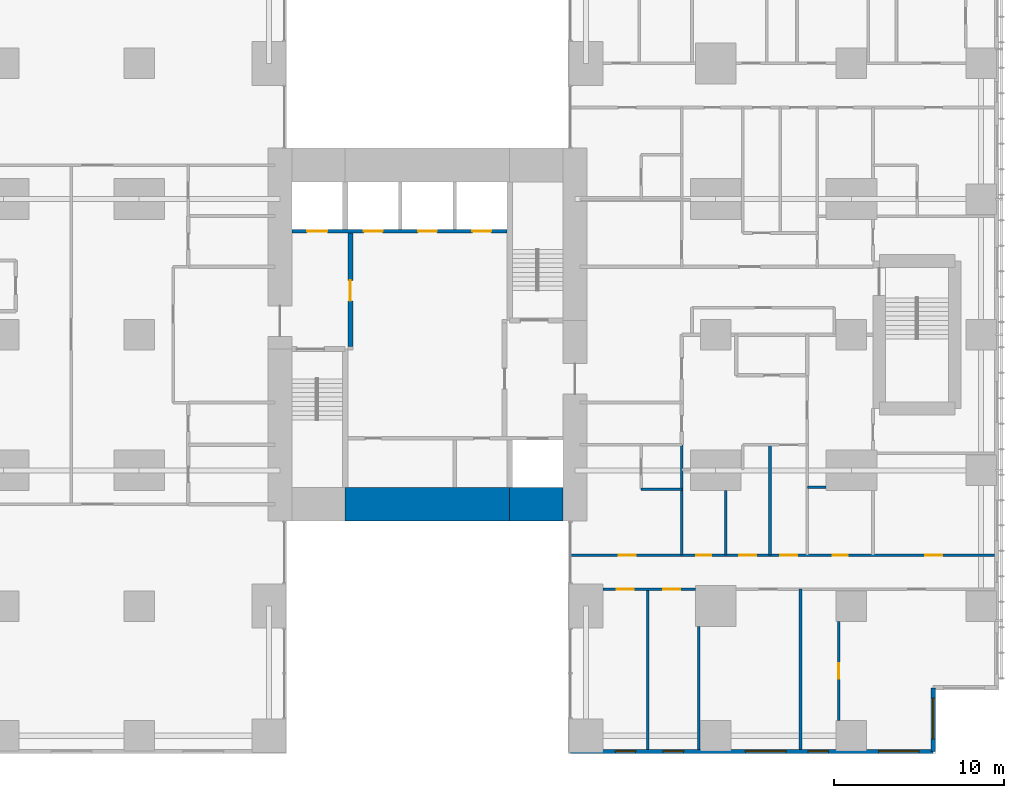
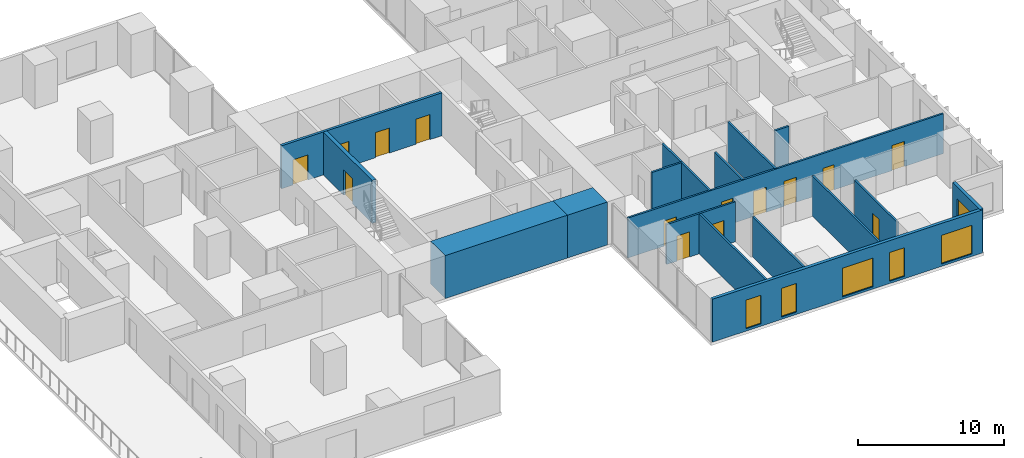
# One storey, part 11 of 16: 17 walls, 14 doors, 6 windows, 20 openings.
"""IFC4 building model written with IfcOpenShell, lengths in metres."""

from ifc_helpers import new_model, si_unit, direction, frame, frame_2d, origin, place, context, subcontext, project, spatial, rectangle, extrude, material, layer, layer_set, type_object, element, fill, save


model = new_model("IFC4")

# Units and contexts
model_context = context("Model", 3, precision=1e-05, world=origin(), true_north=direction((0.0, 1.0)))
body_context = subcontext(model_context, "Body", "Model", "MODEL_VIEW")
ifc_project = project(units=[si_unit("LENGTHUNIT", "METRE"), si_unit("AREAUNIT", "SQUARE_METRE"), si_unit("VOLUMEUNIT", "CUBIC_METRE"), si_unit("PLANEANGLEUNIT", "RADIAN"), si_unit("MASSUNIT", "GRAM", prefix="KILO")], contexts=[model_context])

# Site, building, storey
site_placement = place(None, origin())
site = spatial("IfcSite", under=ifc_project, at=site_placement, CompositionType="ELEMENT")
building_placement = place(site_placement, origin())
building = spatial("IfcBuilding", under=site, at=building_placement, Name="Cleftline Residences", CompositionType="ELEMENT")
storey_placement = place(building_placement, frame((0.0, 0.0, 218.199951171875)))
storey = spatial("IfcBuildingStorey", under=building, at=storey_placement, Name="L57", CompositionType="ELEMENT", Elevation=218.199951171875)

# Walls
ifc_material_1 = material(Name="Concrete B70", Category="concrete")
ifc_layer_1 = layer(ifc_material_1, 2.0)
ifc_layer_set_1 = layer_set([ifc_layer_1], Name="CORE WALL 2000")
wall_type_1 = type_object("IfcWallType", Name="CORE WALL 2000", PredefinedType="SHEAR", material=ifc_layer_set_1)
wall_1_placement = place(storey_placement, frame((28.14990234375, 14.0, 0.0), z_axis=(0.0, 0.0, 1.0), x_axis=(1.0, 0.0, 0.0)))
element("IfcWall", 1, at=wall_1_placement, inside=storey, type_object=wall_type_1, Name="Core wall S2", PredefinedType="SHEAR", context=body_context, shape_type="SweptSolid", body=[
    extrude(rectangle(XDim=9.7001953125, YDim=2.0, at=frame_2d((4.85009765625, 0.0))), origin(), (0.0, 0.0, 1.0), 3.60009765625),
])
wall_2_placement = place(storey_placement, frame((37.85009765625, 14.0, 0.0), z_axis=(0.0, 0.0, 1.0), x_axis=(1.0, 0.0, 0.0)))
element("IfcWall", 2, at=wall_2_placement, inside=storey, type_object=wall_type_1, Name="Core wall S3", PredefinedType="SHEAR", context=body_context, shape_type="SweptSolid", body=[
    extrude(rectangle(XDim=3.14990234375, YDim=2.0, at=frame_2d((1.574951171875, 0.0))), origin(), (0.0, 0.0, 1.0), 3.60009765625),
])

# Wall, openings, windows
ifc_material_2 = material(Name="Rendered reinforced concrete blockwork", Category="masonry")
ifc_layer_2 = layer(ifc_material_2, 0.25)
ifc_layer_set_2 = layer_set([ifc_layer_2], Name="EXTERNAL WALL 250")
wall_type_2 = type_object("IfcWallType", Name="EXTERNAL WALL 250", PredefinedType="SOLIDWALL", material=ifc_layer_set_2)
wall_3_placement = place(storey_placement, frame((41.425048828125, -0.574951171875, 0.0), z_axis=(0.0, 0.0, 1.0), x_axis=(1.0, 0.0, 0.0)))
wall_3 = element("IfcWall", 3, at=wall_3_placement, inside=storey, type_object=wall_type_2, Name="External wall", PredefinedType="SOLIDWALL", context=body_context, shape_type="SweptSolid", body=[
    extrude(rectangle(XDim=21.39990234375, YDim=0.25, at=frame_2d((10.699951171875, 0.0))), origin(), (0.0, 0.0, 1.0), 3.60009765625),
])
opening_1_placement = place(wall_3_placement, frame((2.64990234375, 0.0, 0.199951171875)))
opening_1 = element("IfcOpeningElement", 4, at=opening_1_placement, cuts=wall_3, Name="Opening W13", PredefinedType="OPENING", context=body_context, shape_type="SweptSolid", body=[
    extrude(rectangle(XDim=1.199951171875, YDim=2.39990234375, at=frame_2d((0.60009765625, 1.199951171875))), frame((0.0, 0.135009765625, 0.0), z_axis=(0.0, -1.0, 0.0), x_axis=(1.0, 0.0, 0.0)), (0.0, 0.0, 1.0), 0.27001953125),
])
opening_2_placement = place(wall_3_placement, frame((5.47509765625, 0.0, 0.199951171875)))
opening_2 = element("IfcOpeningElement", 5, at=opening_2_placement, cuts=wall_3, Name="Opening W13", PredefinedType="OPENING", context=body_context, shape_type="SweptSolid", body=[
    extrude(rectangle(XDim=1.199951171875, YDim=2.39990234375, at=frame_2d((0.60009765625, 1.199951171875))), frame((0.0, 0.135009765625, 0.0), z_axis=(0.0, -1.0, 0.0), x_axis=(1.0, 0.0, 0.0)), (0.0, 0.0, 1.0), 0.27001953125),
])
opening_3_placement = place(wall_3_placement, frame((10.324951171875, 0.0, 0.199951171875)))
opening_3 = element("IfcOpeningElement", 6, at=opening_3_placement, cuts=wall_3, Name="Opening W9", PredefinedType="OPENING", context=body_context, shape_type="SweptSolid", body=[
    extrude(rectangle(XDim=2.39990234375, YDim=2.39990234375, at=frame_2d((1.199951171875, 1.199951171875))), frame((0.0, 0.135009765625, 0.0), z_axis=(0.0, -1.0, 0.0), x_axis=(1.0, 0.0, 0.0)), (0.0, 0.0, 1.0), 0.27001953125),
])
opening_4_placement = place(wall_3_placement, frame((14.02490234375, 0.0, 0.199951171875)))
opening_4 = element("IfcOpeningElement", 7, at=opening_4_placement, cuts=wall_3, Name="Opening W13", PredefinedType="OPENING", context=body_context, shape_type="SweptSolid", body=[
    extrude(rectangle(XDim=1.199951171875, YDim=2.39990234375, at=frame_2d((0.60009765625, 1.199951171875))), frame((0.0, 0.135009765625, 0.0), z_axis=(0.0, -1.0, 0.0), x_axis=(1.0, 0.0, 0.0)), (0.0, 0.0, 1.0), 0.27001953125),
])
opening_5_placement = place(wall_3_placement, frame((18.175048828125, 0.0, 0.199951171875)))
opening_5 = element("IfcOpeningElement", 8, at=opening_5_placement, cuts=wall_3, Name="Opening W9", PredefinedType="OPENING", context=body_context, shape_type="SweptSolid", body=[
    extrude(rectangle(XDim=2.39990234375, YDim=2.39990234375, at=frame_2d((1.199951171875, 1.199951171875))), frame((0.0, 0.135009765625, 0.0), z_axis=(0.0, -1.0, 0.0), x_axis=(1.0, 0.0, 0.0)), (0.0, 0.0, 1.0), 0.27001953125),
])
ifc_material_3 = material(Name="Aluminium frame, clear double glazing", Category="aluminium")
window_type_1 = type_object("IfcWindowType", Name="WINDOW 1200X2400", PartitioningType="DOUBLE_PANEL_VERTICAL", PredefinedType="WINDOW", material=ifc_material_3)
window_1_placement = place(opening_1_placement, origin())
window_1 = element("IfcWindow", 9, at=window_1_placement, inside=storey, type_object=window_type_1, Name="Window", OverallHeight=2.39990234375, OverallWidth=1.199951171875, PartitioningType="SINGLE_PANEL", PredefinedType="WINDOW", context=body_context, shape_type="SweptSolid", body=[
    extrude(rectangle(XDim=1.199951171875, YDim=2.39990234375, at=frame_2d((0.60009765625, 1.199951171875))), frame((0.0, 0.030029296875, 0.0), z_axis=(0.0, -1.0, 0.0), x_axis=(1.0, 0.0, 0.0)), (0.0, 0.0, 1.0), 0.06005859375),
])
fill(opening_1, window_1)
window_2_placement = place(opening_2_placement, origin())
window_2 = element("IfcWindow", 10, at=window_2_placement, inside=storey, type_object=window_type_1, Name="Window", OverallHeight=2.39990234375, OverallWidth=1.199951171875, PartitioningType="SINGLE_PANEL", PredefinedType="WINDOW", context=body_context, shape_type="SweptSolid", body=[
    extrude(rectangle(XDim=1.199951171875, YDim=2.39990234375, at=frame_2d((0.60009765625, 1.199951171875))), frame((0.0, 0.030029296875, 0.0), z_axis=(0.0, -1.0, 0.0), x_axis=(1.0, 0.0, 0.0)), (0.0, 0.0, 1.0), 0.06005859375),
])
fill(opening_2, window_2)
window_3_placement = place(opening_4_placement, origin())
window_3 = element("IfcWindow", 11, at=window_3_placement, inside=storey, type_object=window_type_1, Name="Window", OverallHeight=2.39990234375, OverallWidth=1.199951171875, PartitioningType="SINGLE_PANEL", PredefinedType="WINDOW", context=body_context, shape_type="SweptSolid", body=[
    extrude(rectangle(XDim=1.199951171875, YDim=2.39990234375, at=frame_2d((0.60009765625, 1.199951171875))), frame((0.0, 0.030029296875, 0.0), z_axis=(0.0, -1.0, 0.0), x_axis=(1.0, 0.0, 0.0)), (0.0, 0.0, 1.0), 0.06005859375),
])
fill(opening_4, window_3)
ifc_material_4 = material(Name="Aluminium frame, clear double glazing", Category="aluminium")
window_type_2 = type_object("IfcWindowType", Name="WINDOW 2400X2400", PartitioningType="DOUBLE_PANEL_VERTICAL", PredefinedType="WINDOW", material=ifc_material_4)
window_4_placement = place(opening_3_placement, origin())
window_4 = element("IfcWindow", 12, at=window_4_placement, inside=storey, type_object=window_type_2, Name="Window", OverallHeight=2.39990234375, OverallWidth=2.39990234375, PartitioningType="SINGLE_PANEL", PredefinedType="WINDOW", context=body_context, shape_type="SweptSolid", body=[
    extrude(rectangle(XDim=2.39990234375, YDim=2.39990234375, at=frame_2d((1.199951171875, 1.199951171875))), frame((0.0, 0.030029296875, 0.0), z_axis=(0.0, -1.0, 0.0), x_axis=(1.0, 0.0, 0.0)), (0.0, 0.0, 1.0), 0.06005859375),
])
fill(opening_3, window_4)
window_5_placement = place(opening_5_placement, origin())
window_5 = element("IfcWindow", 13, at=window_5_placement, inside=storey, type_object=window_type_2, Name="Window", OverallHeight=2.39990234375, OverallWidth=2.39990234375, PartitioningType="SINGLE_PANEL", PredefinedType="WINDOW", context=body_context, shape_type="SweptSolid", body=[
    extrude(rectangle(XDim=2.39990234375, YDim=2.39990234375, at=frame_2d((1.199951171875, 1.199951171875))), frame((0.0, 0.030029296875, 0.0), z_axis=(0.0, -1.0, 0.0), x_axis=(1.0, 0.0, 0.0)), (0.0, 0.0, 1.0), 0.06005859375),
])
fill(opening_5, window_5)

# Wall, opening, window
wall_4_placement = place(storey_placement, frame((62.824951171875, -0.574951171875, 0.0), z_axis=(0.0, 0.0, 1.0), x_axis=(0.0, 1.0, 0.0)))
wall_4 = element("IfcWall", 14, at=wall_4_placement, inside=storey, type_object=wall_type_2, Name="External wall", PredefinedType="SOLIDWALL", context=body_context, shape_type="SweptSolid", body=[
    extrude(rectangle(XDim=3.75, YDim=0.25, at=frame_2d((1.875, 0.0))), origin(), (0.0, 0.0, 1.0), 3.60009765625),
])
opening_6_placement = place(wall_4_placement, frame((0.737548828125, 0.0, 0.199951171875)))
opening_6 = element("IfcOpeningElement", 15, at=opening_6_placement, cuts=wall_4, Name="Opening W9", PredefinedType="OPENING", context=body_context, shape_type="SweptSolid", body=[
    extrude(rectangle(XDim=2.39990234375, YDim=2.39990234375, at=frame_2d((1.199951171875, 1.199951171875))), frame((0.0, 0.135009765625, 0.0), z_axis=(0.0, -1.0, 0.0), x_axis=(1.0, 0.0, 0.0)), (0.0, 0.0, 1.0), 0.27001953125),
])
window_6_placement = place(opening_6_placement, origin())
window_6 = element("IfcWindow", 16, at=window_6_placement, inside=storey, type_object=window_type_2, Name="Window", OverallHeight=2.39990234375, OverallWidth=2.39990234375, PartitioningType="SINGLE_PANEL", PredefinedType="WINDOW", context=body_context, shape_type="SweptSolid", body=[
    extrude(rectangle(XDim=2.39990234375, YDim=2.39990234375, at=frame_2d((1.199951171875, 1.199951171875))), frame((0.0, 0.030029296875, 0.0), z_axis=(0.0, -1.0, 0.0), x_axis=(1.0, 0.0, 0.0)), (0.0, 0.0, 1.0), 0.06005859375),
])
fill(opening_6, window_6)

# Wall, openings, doors
ifc_material_5 = material(Name="Gypsum board on steel studs", Category="steel")
ifc_layer_3 = layer(ifc_material_5, 0.14990234375)
ifc_layer_set_3 = layer_set([ifc_layer_3], Name="PARTITION 150")
wall_type_3 = type_object("IfcWallType", Name="PARTITION 150", PredefinedType="PARTITIONING", material=ifc_layer_set_3)
wall_5_placement = place(storey_placement, frame((43.35009765625, 9.0, 0.0), z_axis=(0.0, 0.0, 1.0), x_axis=(1.0, 0.0, 0.0)))
wall_5 = element("IfcWall", 17, at=wall_5_placement, inside=storey, type_object=wall_type_3, Name="Partition", PredefinedType="PARTITIONING", context=body_context, shape_type="SweptSolid", body=[
    extrude(rectangle(XDim=5.449951171875, YDim=0.14990234375, at=frame_2d((2.72509765625, 0.0))), origin(), (0.0, 0.0, 1.0), 3.35009765625),
])
opening_7_placement = place(wall_5_placement, frame((3.550048828125, 0.0, 0.0)))
opening_7 = element("IfcOpeningElement", 18, at=opening_7_placement, cuts=wall_5, Name="Opening D2", PredefinedType="OPENING", context=body_context, shape_type="SweptSolid", body=[
    extrude(rectangle(XDim=1.0, YDim=2.10009765625, at=frame_2d((0.5, 1.050048828125))), frame((0.0, 0.0849609375, 0.0), z_axis=(0.0, -1.0, 0.0), x_axis=(1.0, 0.0, 0.0)), (0.0, 0.0, 1.0), 0.169921875),
])
opening_8_placement = place(wall_5_placement, frame((0.824951171875, 0.0, 0.0)))
opening_8 = element("IfcOpeningElement", 19, at=opening_8_placement, cuts=wall_5, Name="Opening D2", PredefinedType="OPENING", context=body_context, shape_type="SweptSolid", body=[
    extrude(rectangle(XDim=1.0, YDim=2.10009765625, at=frame_2d((0.5, 1.050048828125))), frame((0.0, 0.0849609375, 0.0), z_axis=(0.0, -1.0, 0.0), x_axis=(1.0, 0.0, 0.0)), (0.0, 0.0, 1.0), 0.169921875),
])
ifc_material_6 = material(Name="Timber veneer on solid core", Category="wood")
door_type_1 = type_object("IfcDoorType", Name="DOOR 1000X2100", OperationType="SINGLE_SWING_LEFT", PredefinedType="DOOR", material=ifc_material_6)
door_1_placement = place(opening_7_placement, origin())
door_1 = element("IfcDoor", 20, at=door_1_placement, inside=storey, type_object=door_type_1, Name="Door to breakfast room", OperationType="SINGLE_SWING_LEFT", OverallHeight=2.10009765625, OverallWidth=1.0, PredefinedType="DOOR", context=body_context, shape_type="SweptSolid", body=[
    extrude(rectangle(XDim=1.0, YDim=2.10009765625, at=frame_2d((0.5, 1.050048828125))), frame((0.0, 0.02490234375, 0.0), z_axis=(0.0, -1.0, 0.0), x_axis=(1.0, 0.0, 0.0)), (0.0, 0.0, 1.0), 0.050048828125),
])
fill(opening_7, door_1)
door_2_placement = place(opening_8_placement, origin())
door_2 = element("IfcDoor", 21, at=door_2_placement, inside=storey, type_object=door_type_1, Name="Door to show kitchen", OperationType="SINGLE_SWING_RIGHT", OverallHeight=2.10009765625, OverallWidth=1.0, PredefinedType="DOOR", context=body_context, shape_type="SweptSolid", body=[
    extrude(rectangle(XDim=1.0, YDim=2.10009765625, at=frame_2d((0.5, 1.050048828125))), frame((0.0, 0.02490234375, 0.0), z_axis=(0.0, -1.0, 0.0), x_axis=(1.0, 0.0, 0.0)), (0.0, 0.0, 1.0), 0.050048828125),
])
fill(opening_8, door_2)

wall_6_placement = place(storey_placement, frame((41.43896484375, 11.0, 0.0), z_axis=(0.0, 0.0, 1.0), x_axis=(1.0, 0.0, 0.0)))
wall_6 = element("IfcWall", 22, at=wall_6_placement, inside=storey, type_object=wall_type_3, Name="Partition", PredefinedType="PARTITIONING", context=body_context, shape_type="SweptSolid", body=[
    extrude(rectangle(XDim=25.010986328125, YDim=0.14990234375, at=frame_2d((12.50537109375, 0.0))), origin(), (0.0, 0.0, 1.0), 3.35009765625),
])
opening_9_placement = place(wall_6_placement, frame((12.361083984375, 0.0, 0.0)))
opening_9 = element("IfcOpeningElement", 23, at=opening_9_placement, cuts=wall_6, Name="Opening D2F30", PredefinedType="OPENING", context=body_context, shape_type="SweptSolid", body=[
    extrude(rectangle(XDim=1.0, YDim=2.10009765625, at=frame_2d((0.5, 1.050048828125))), frame((0.0, 0.0849609375, 0.0), z_axis=(0.0, -1.0, 0.0), x_axis=(1.0, 0.0, 0.0)), (0.0, 0.0, 1.0), 0.169921875),
])
opening_10_placement = place(wall_6_placement, frame((20.923583984375, 0.0, 0.0)))
opening_10 = element("IfcOpeningElement", 24, at=opening_10_placement, cuts=wall_6, Name="Opening D2F30", PredefinedType="OPENING", context=body_context, shape_type="SweptSolid", body=[
    extrude(rectangle(XDim=1.0, YDim=2.10009765625, at=frame_2d((0.5, 1.050048828125))), frame((0.0, 0.0849609375, 0.0), z_axis=(0.0, -1.0, 0.0), x_axis=(1.0, 0.0, 0.0)), (0.0, 0.0, 1.0), 0.169921875),
])
opening_11_placement = place(wall_6_placement, frame((15.448486328125, 0.0, 0.0)))
opening_11 = element("IfcOpeningElement", 25, at=opening_11_placement, cuts=wall_6, Name="Opening D1F30", PredefinedType="OPENING", context=body_context, shape_type="SweptSolid", body=[
    extrude(rectangle(XDim=0.89990234375, YDim=2.10009765625, at=frame_2d((0.449951171875, 1.050048828125))), frame((0.0, 0.0849609375, 0.0), z_axis=(0.0, -1.0, 0.0), x_axis=(1.0, 0.0, 0.0)), (0.0, 0.0, 1.0), 0.169921875),
])
opening_12_placement = place(wall_6_placement, frame((9.9609375, 0.0, 0.0)))
opening_12 = element("IfcOpeningElement", 26, at=opening_12_placement, cuts=wall_6, Name="Opening D2F30", PredefinedType="OPENING", context=body_context, shape_type="SweptSolid", body=[
    extrude(rectangle(XDim=1.0, YDim=2.10009765625, at=frame_2d((0.5, 1.050048828125))), frame((0.0, 0.0849609375, 0.0), z_axis=(0.0, -1.0, 0.0), x_axis=(1.0, 0.0, 0.0)), (0.0, 0.0, 1.0), 0.169921875),
])
opening_13_placement = place(wall_6_placement, frame((7.410888671875, 0.0, 0.0)))
opening_13 = element("IfcOpeningElement", 27, at=opening_13_placement, cuts=wall_6, Name="Opening D1F30", PredefinedType="OPENING", context=body_context, shape_type="SweptSolid", body=[
    extrude(rectangle(XDim=0.89990234375, YDim=2.10009765625, at=frame_2d((0.449951171875, 1.050048828125))), frame((0.0, 0.0849609375, 0.0), z_axis=(0.0, -1.0, 0.0), x_axis=(1.0, 0.0, 0.0)), (0.0, 0.0, 1.0), 0.169921875),
])
opening_14_placement = place(wall_6_placement, frame((2.8359375, 0.0, 0.0)))
opening_14 = element("IfcOpeningElement", 28, at=opening_14_placement, cuts=wall_6, Name="Opening D2F30", PredefinedType="OPENING", context=body_context, shape_type="SweptSolid", body=[
    extrude(rectangle(XDim=1.0, YDim=2.10009765625, at=frame_2d((0.5, 1.050048828125))), frame((0.0, 0.0849609375, 0.0), z_axis=(0.0, -1.0, 0.0), x_axis=(1.0, 0.0, 0.0)), (0.0, 0.0, 1.0), 0.169921875),
])
ifc_material_7 = material(Name="Timber veneer on solid core", Category="wood")
door_type_2 = type_object("IfcDoorType", Name="DOOR 1000X2100 EI 30", OperationType="SINGLE_SWING_LEFT", PredefinedType="DOOR", material=ifc_material_7)
door_3_placement = place(opening_9_placement, origin())
door_3 = element("IfcDoor", 29, at=door_3_placement, inside=storey, type_object=door_type_2, Name="Door to residence hall (gallery)", OperationType="SINGLE_SWING_LEFT", OverallHeight=2.10009765625, OverallWidth=1.0, PredefinedType="DOOR", context=body_context, shape_type="SweptSolid", body=[
    extrude(rectangle(XDim=1.0, YDim=2.10009765625, at=frame_2d((0.5, 1.050048828125))), frame((0.0, 0.02490234375, 0.0), z_axis=(0.0, -1.0, 0.0), x_axis=(1.0, 0.0, 0.0)), (0.0, 0.0, 1.0), 0.050048828125),
])
fill(opening_9, door_3)
door_4_placement = place(opening_10_placement, origin())
door_4 = element("IfcDoor", 30, at=door_4_placement, inside=storey, type_object=door_type_2, Name="Door to altar room", OperationType="SINGLE_SWING_LEFT", OverallHeight=2.10009765625, OverallWidth=1.0, PredefinedType="DOOR", context=body_context, shape_type="SweptSolid", body=[
    extrude(rectangle(XDim=1.0, YDim=2.10009765625, at=frame_2d((0.5, 1.050048828125))), frame((0.0, 0.02490234375, 0.0), z_axis=(0.0, -1.0, 0.0), x_axis=(1.0, 0.0, 0.0)), (0.0, 0.0, 1.0), 0.050048828125),
])
fill(opening_10, door_4)
door_5_placement = place(opening_12_placement, origin())
door_5 = element("IfcDoor", 31, at=door_5_placement, inside=storey, type_object=door_type_2, Name="Door to wet kitchen", OperationType="SINGLE_SWING_RIGHT", OverallHeight=2.10009765625, OverallWidth=1.0, PredefinedType="DOOR", context=body_context, shape_type="SweptSolid", body=[
    extrude(rectangle(XDim=1.0, YDim=2.10009765625, at=frame_2d((0.5, 1.050048828125))), frame((0.0, 0.02490234375, 0.0), z_axis=(0.0, -1.0, 0.0), x_axis=(1.0, 0.0, 0.0)), (0.0, 0.0, 1.0), 0.050048828125),
])
fill(opening_12, door_5)
door_6_placement = place(opening_14_placement, origin())
door_6 = element("IfcDoor", 32, at=door_6_placement, inside=storey, type_object=door_type_2, Name="Door to staff bedroom", OperationType="SINGLE_SWING_RIGHT", OverallHeight=2.10009765625, OverallWidth=1.0, PredefinedType="DOOR", context=body_context, shape_type="SweptSolid", body=[
    extrude(rectangle(XDim=1.0, YDim=2.10009765625, at=frame_2d((0.5, 1.050048828125))), frame((0.0, 0.02490234375, 0.0), z_axis=(0.0, -1.0, 0.0), x_axis=(1.0, 0.0, 0.0)), (0.0, 0.0, 1.0), 0.050048828125),
])
fill(opening_14, door_6)
ifc_material_8 = material(Name="Timber veneer on solid core", Category="wood")
door_type_3 = type_object("IfcDoorType", Name="DOOR 900X2100 EI 30", OperationType="SINGLE_SWING_LEFT", PredefinedType="DOOR", material=ifc_material_8)
door_7_placement = place(opening_11_placement, origin())
door_7 = element("IfcDoor", 33, at=door_7_placement, inside=storey, type_object=door_type_3, Name="Door to store room", OperationType="SINGLE_SWING_LEFT", OverallHeight=2.10009765625, OverallWidth=0.89990234375, PredefinedType="DOOR", context=body_context, shape_type="SweptSolid", body=[
    extrude(rectangle(XDim=0.89990234375, YDim=2.10009765625, at=frame_2d((0.449951171875, 1.050048828125))), frame((0.0, 0.02490234375, 0.0), z_axis=(0.0, -1.0, 0.0), x_axis=(1.0, 0.0, 0.0)), (0.0, 0.0, 1.0), 0.050048828125),
])
fill(opening_11, door_7)
door_8_placement = place(opening_13_placement, origin())
door_8 = element("IfcDoor", 34, at=door_8_placement, inside=storey, type_object=door_type_3, Name="Door to pantry", OperationType="SINGLE_SWING_RIGHT", OverallHeight=2.10009765625, OverallWidth=0.89990234375, PredefinedType="DOOR", context=body_context, shape_type="SweptSolid", body=[
    extrude(rectangle(XDim=0.89990234375, YDim=2.10009765625, at=frame_2d((0.449951171875, 1.050048828125))), frame((0.0, 0.02490234375, 0.0), z_axis=(0.0, -1.0, 0.0), x_axis=(1.0, 0.0, 0.0)), (0.0, 0.0, 1.0), 0.050048828125),
])
fill(opening_13, door_8)

# Walls
wall_7_placement = place(storey_placement, frame((45.60009765625, 14.89990234375, 0.0), z_axis=(0.0, 0.0, 1.0), x_axis=(1.0, 0.0, 0.0)))
element("IfcWall", 35, at=wall_7_placement, inside=storey, type_object=wall_type_3, Name="Partition", PredefinedType="PARTITIONING", context=body_context, shape_type="SweptSolid", body=[
    extrude(rectangle(XDim=2.39990234375, YDim=0.14990234375, at=frame_2d((1.199951171875, 0.0))), origin(), (0.0, 0.0, 1.0), 3.35009765625),
])
wall_8_placement = place(storey_placement, frame((55.39990234375, 15.0, 0.0), z_axis=(0.0, 0.0, 1.0), x_axis=(1.0, 0.0, 0.0)))
element("IfcWall", 36, at=wall_8_placement, inside=storey, type_object=wall_type_3, Name="Partition", PredefinedType="PARTITIONING", context=body_context, shape_type="SweptSolid", body=[
    extrude(rectangle(XDim=1.10009765625, YDim=0.14990234375, at=frame_2d((0.550048828125, 0.0))), origin(), (0.0, 0.0, 1.0), 3.35009765625),
])
wall_9_placement = place(storey_placement, frame((46.0, -0.449951171875, 0.0), z_axis=(0.0, 0.0, 1.0), x_axis=(0.0, 1.0, 0.0)))
element("IfcWall", 37, at=wall_9_placement, inside=storey, type_object=wall_type_3, Name="Partition", PredefinedType="PARTITIONING", context=body_context, shape_type="SweptSolid", body=[
    extrude(rectangle(XDim=9.449951171875, YDim=0.14990234375, at=frame_2d((4.72509765625, 0.0))), origin(), (0.0, 0.0, 1.0), 3.35009765625),
])
wall_10_placement = place(storey_placement, frame((48.0, 11.0, 0.0), z_axis=(0.0, 0.0, 1.0), x_axis=(0.0, 1.0, 0.0)))
element("IfcWall", 38, at=wall_10_placement, inside=storey, type_object=wall_type_3, Name="Partition", PredefinedType="PARTITIONING", context=body_context, shape_type="SweptSolid", body=[
    extrude(rectangle(XDim=6.5, YDim=0.14990234375, at=frame_2d((3.25, 0.0))), origin(), (0.0, 0.0, 1.0), 3.35009765625),
])
wall_11_placement = place(storey_placement, frame((49.0, -0.449951171875, 0.0), z_axis=(0.0, 0.0, 1.0), x_axis=(0.0, 1.0, 0.0)))
element("IfcWall", 39, at=wall_11_placement, inside=storey, type_object=wall_type_3, Name="Partition", PredefinedType="PARTITIONING", context=body_context, shape_type="SweptSolid", body=[
    extrude(rectangle(XDim=7.25, YDim=0.14990234375, at=frame_2d((3.625, 0.0))), origin(), (0.0, 0.0, 1.0), 3.35009765625),
])
wall_12_placement = place(storey_placement, frame((50.60009765625, 11.0, 0.0), z_axis=(0.0, 0.0, 1.0), x_axis=(0.0, 1.0, 0.0)))
element("IfcWall", 40, at=wall_12_placement, inside=storey, type_object=wall_type_3, Name="Partition", PredefinedType="PARTITIONING", context=body_context, shape_type="SweptSolid", body=[
    extrude(rectangle(XDim=3.800048828125, YDim=0.14990234375, at=frame_2d((1.89990234375, 0.0))), origin(), (0.0, 0.0, 1.0), 3.35009765625),
])
wall_13_placement = place(storey_placement, frame((53.199951171875, 11.0, 0.0), z_axis=(0.0, 0.0, 1.0), x_axis=(0.0, 1.0, 0.0)))
element("IfcWall", 41, at=wall_13_placement, inside=storey, type_object=wall_type_3, Name="Partition", PredefinedType="PARTITIONING", context=body_context, shape_type="SweptSolid", body=[
    extrude(rectangle(XDim=6.5, YDim=0.14990234375, at=frame_2d((3.25, 0.0))), origin(), (0.0, 0.0, 1.0), 3.35009765625),
])
wall_14_placement = place(storey_placement, frame((55.0, -0.449951171875, 0.0), z_axis=(0.0, 0.0, 1.0), x_axis=(0.0, 1.0, 0.0)))
element("IfcWall", 42, at=wall_14_placement, inside=storey, type_object=wall_type_3, Name="Partition", PredefinedType="PARTITIONING", context=body_context, shape_type="SweptSolid", body=[
    extrude(rectangle(XDim=9.449951171875, YDim=0.14990234375, at=frame_2d((4.72509765625, 0.0))), origin(), (0.0, 0.0, 1.0), 3.35009765625),
])

# Wall, opening, door
wall_15_placement = place(storey_placement, frame((57.25, 1.25, 0.0), z_axis=(0.0, 0.0, 1.0), x_axis=(0.0, 1.0, 0.0)))
wall_15 = element("IfcWall", 43, at=wall_15_placement, inside=storey, type_object=wall_type_3, Name="Partition", PredefinedType="PARTITIONING", context=body_context, shape_type="SweptSolid", body=[
    extrude(rectangle(XDim=5.85009765625, YDim=0.14990234375, at=frame_2d((2.925048828125, 0.0))), origin(), (0.0, 0.0, 1.0), 3.35009765625),
])
opening_15_placement = place(wall_15_placement, frame((2.47509765625, 0.0, 0.0)))
opening_15 = element("IfcOpeningElement", 44, at=opening_15_placement, cuts=wall_15, Name="Opening D1", PredefinedType="OPENING", context=body_context, shape_type="SweptSolid", body=[
    extrude(rectangle(XDim=0.89990234375, YDim=2.10009765625, at=frame_2d((0.449951171875, 1.050048828125))), frame((0.0, 0.0849609375, 0.0), z_axis=(0.0, -1.0, 0.0), x_axis=(1.0, 0.0, 0.0)), (0.0, 0.0, 1.0), 0.169921875),
])
ifc_material_9 = material(Name="Timber veneer on solid core", Category="wood")
door_type_4 = type_object("IfcDoorType", Name="DOOR 900X2100", OperationType="SINGLE_SWING_LEFT", PredefinedType="DOOR", material=ifc_material_9)
door_9_placement = place(opening_15_placement, origin())
door_9 = element("IfcDoor", 45, at=door_9_placement, inside=storey, type_object=door_type_4, Name="Door to store room", OperationType="SINGLE_SWING_LEFT", OverallHeight=2.10009765625, OverallWidth=0.89990234375, PredefinedType="DOOR", context=body_context, shape_type="SweptSolid", body=[
    extrude(rectangle(XDim=0.89990234375, YDim=2.10009765625, at=frame_2d((0.449951171875, 1.050048828125))), frame((0.0, 0.02490234375, 0.0), z_axis=(0.0, -1.0, 0.0), x_axis=(1.0, 0.0, 0.0)), (0.0, 0.0, 1.0), 0.050048828125),
])
fill(opening_15, door_9)

# Wall, openings, doors
ifc_material_10 = material(Name="Concrete blockwork, fire rated", Category="masonry")
ifc_layer_4 = layer(ifc_material_10, 0.199951171875)
ifc_layer_set_4 = layer_set([ifc_layer_4], Name="SHAFT WALL 200")
wall_type_4 = type_object("IfcWallType", Name="SHAFT WALL 200", PredefinedType="PARTITIONING", material=ifc_layer_set_4)
wall_16_placement = place(storey_placement, frame((25.0, 30.10009765625, 0.0), z_axis=(0.0, 0.0, 1.0), x_axis=(1.0, 0.0, 0.0)))
wall_16 = element("IfcWall", 46, at=wall_16_placement, inside=storey, type_object=wall_type_4, Name="Lift shaft wall", PredefinedType="PARTITIONING", context=body_context, shape_type="SweptSolid", body=[
    extrude(rectangle(XDim=12.699951171875, YDim=0.199951171875, at=frame_2d((6.35009765625, 0.0))), origin(), (0.0, 0.0, 1.0), 3.60009765625),
])
opening_16_placement = place(wall_16_placement, frame((4.25, 0.0, 0.0)))
opening_16 = element("IfcOpeningElement", 47, at=opening_16_placement, cuts=wall_16, Name="Opening LD1", PredefinedType="OPENING", context=body_context, shape_type="SweptSolid", body=[
    extrude(rectangle(XDim=1.10009765625, YDim=2.10009765625, at=frame_2d((0.550048828125, 1.050048828125))), frame((0.0, 0.10986328125, 0.0), z_axis=(0.0, -1.0, 0.0), x_axis=(1.0, 0.0, 0.0)), (0.0, 0.0, 1.0), 0.219970703125),
])
opening_17_placement = place(wall_16_placement, frame((7.449951171875, 0.0, 0.0)))
opening_17 = element("IfcOpeningElement", 48, at=opening_17_placement, cuts=wall_16, Name="Opening LD1", PredefinedType="OPENING", context=body_context, shape_type="SweptSolid", body=[
    extrude(rectangle(XDim=1.10009765625, YDim=2.10009765625, at=frame_2d((0.550048828125, 1.050048828125))), frame((0.0, 0.10986328125, 0.0), z_axis=(0.0, -1.0, 0.0), x_axis=(1.0, 0.0, 0.0)), (0.0, 0.0, 1.0), 0.219970703125),
])
opening_18_placement = place(wall_16_placement, frame((10.64990234375, 0.0, 0.0)))
opening_18 = element("IfcOpeningElement", 49, at=opening_18_placement, cuts=wall_16, Name="Opening LD1", PredefinedType="OPENING", context=body_context, shape_type="SweptSolid", body=[
    extrude(rectangle(XDim=1.10009765625, YDim=2.10009765625, at=frame_2d((0.550048828125, 1.050048828125))), frame((0.0, 0.10986328125, 0.0), z_axis=(0.0, -1.0, 0.0), x_axis=(1.0, 0.0, 0.0)), (0.0, 0.0, 1.0), 0.219970703125),
])
opening_19_placement = place(wall_16_placement, frame((0.89990234375, 0.0, 0.0)))
opening_19 = element("IfcOpeningElement", 50, at=opening_19_placement, cuts=wall_16, Name="Opening LD2", PredefinedType="OPENING", context=body_context, shape_type="SweptSolid", body=[
    extrude(rectangle(XDim=1.199951171875, YDim=2.10009765625, at=frame_2d((0.60009765625, 1.050048828125))), frame((0.0, 0.10986328125, 0.0), z_axis=(0.0, -1.0, 0.0), x_axis=(1.0, 0.0, 0.0)), (0.0, 0.0, 1.0), 0.219970703125),
])
ifc_material_11 = material(Name="Steel", Category="steel")
door_type_5 = type_object("IfcDoorType", Name="FIREFIGHTING LIFT LANDING DOOR 1200X2100", OperationType="SLIDING_TO_LEFT", PredefinedType="DOOR", material=ifc_material_11)
door_10_placement = place(opening_19_placement, origin())
door_10 = element("IfcDoor", 51, at=door_10_placement, inside=storey, type_object=door_type_5, Name="Lift FL1 landing door", OperationType="SLIDING_TO_LEFT", OverallHeight=2.10009765625, OverallWidth=1.199951171875, PredefinedType="DOOR", context=body_context, shape_type="SweptSolid", body=[
    extrude(rectangle(XDim=1.199951171875, YDim=2.10009765625, at=frame_2d((0.60009765625, 1.050048828125))), frame((0.0, 0.02490234375, 0.0), z_axis=(0.0, -1.0, 0.0), x_axis=(1.0, 0.0, 0.0)), (0.0, 0.0, 1.0), 0.050048828125),
])
fill(opening_19, door_10)
ifc_material_12 = material(Name="Steel", Category="steel")
door_type_6 = type_object("IfcDoorType", Name="LIFT LANDING DOOR 1100X2100", OperationType="SLIDING_TO_LEFT", PredefinedType="DOOR", material=ifc_material_12)
door_11_placement = place(opening_16_placement, origin())
door_11 = element("IfcDoor", 52, at=door_11_placement, inside=storey, type_object=door_type_6, Name="Lift P4 landing door", OperationType="SLIDING_TO_LEFT", OverallHeight=2.10009765625, OverallWidth=1.10009765625, PredefinedType="DOOR", context=body_context, shape_type="SweptSolid", body=[
    extrude(rectangle(XDim=1.10009765625, YDim=2.10009765625, at=frame_2d((0.550048828125, 1.050048828125))), frame((0.0, 0.02490234375, 0.0), z_axis=(0.0, -1.0, 0.0), x_axis=(1.0, 0.0, 0.0)), (0.0, 0.0, 1.0), 0.050048828125),
])
fill(opening_16, door_11)
door_12_placement = place(opening_17_placement, origin())
door_12 = element("IfcDoor", 53, at=door_12_placement, inside=storey, type_object=door_type_6, Name="Lift P5 landing door", OperationType="SLIDING_TO_LEFT", OverallHeight=2.10009765625, OverallWidth=1.10009765625, PredefinedType="DOOR", context=body_context, shape_type="SweptSolid", body=[
    extrude(rectangle(XDim=1.10009765625, YDim=2.10009765625, at=frame_2d((0.550048828125, 1.050048828125))), frame((0.0, 0.02490234375, 0.0), z_axis=(0.0, -1.0, 0.0), x_axis=(1.0, 0.0, 0.0)), (0.0, 0.0, 1.0), 0.050048828125),
])
fill(opening_17, door_12)
door_13_placement = place(opening_18_placement, origin())
door_13 = element("IfcDoor", 54, at=door_13_placement, inside=storey, type_object=door_type_6, Name="Lift P6 landing door", OperationType="SLIDING_TO_LEFT", OverallHeight=2.10009765625, OverallWidth=1.10009765625, PredefinedType="DOOR", context=body_context, shape_type="SweptSolid", body=[
    extrude(rectangle(XDim=1.10009765625, YDim=2.10009765625, at=frame_2d((0.550048828125, 1.050048828125))), frame((0.0, 0.02490234375, 0.0), z_axis=(0.0, -1.0, 0.0), x_axis=(1.0, 0.0, 0.0)), (0.0, 0.0, 1.0), 0.050048828125),
])
fill(opening_18, door_13)

# Wall, opening, door
ifc_material_13 = material(Name="Concrete blockwork, fire rated", Category="masonry")
ifc_layer_5 = layer(ifc_material_13, 0.300048828125)
ifc_layer_set_5 = layer_set([ifc_layer_5], Name="STAIR LOBBY WALL 300")
wall_type_5 = type_object("IfcWallType", Name="STAIR LOBBY WALL 300", PredefinedType="PARTITIONING", material=ifc_layer_set_5)
wall_17_placement = place(storey_placement, frame((28.449951171875, 23.300048828125, 0.0), z_axis=(0.0, 0.0, 1.0), x_axis=(0.0, 1.0, 0.0)))
wall_17 = element("IfcWall", 55, at=wall_17_placement, inside=storey, type_object=wall_type_5, Name="Stair and lobby wall FA-E", PredefinedType="PARTITIONING", context=body_context, shape_type="SweptSolid", body=[
    extrude(rectangle(XDim=6.699951171875, YDim=0.300048828125, at=frame_2d((3.35009765625, 0.0))), origin(), (0.0, 0.0, 1.0), 3.60009765625),
])
opening_20_placement = place(wall_17_placement, frame((2.699951171875, 0.0, 0.0)))
opening_20 = element("IfcOpeningElement", 56, at=opening_20_placement, cuts=wall_17, Name="Opening D6", PredefinedType="OPENING", context=body_context, shape_type="SweptSolid", body=[
    extrude(rectangle(XDim=1.199951171875, YDim=2.10009765625, at=frame_2d((0.60009765625, 1.050048828125))), frame((0.0, 0.159912109375, 0.0), z_axis=(0.0, -1.0, 0.0), x_axis=(1.0, 0.0, 0.0)), (0.0, 0.0, 1.0), 0.320068359375),
])
ifc_material_14 = material(Name="Steel", Category="steel")
door_type_7 = type_object("IfcDoorType", Name="LOBBY DOOR 1200X2100", OperationType="SINGLE_SWING_RIGHT", PredefinedType="DOOR", material=ifc_material_14)
door_14_placement = place(opening_20_placement, origin())
door_14 = element("IfcDoor", 57, at=door_14_placement, inside=storey, type_object=door_type_7, Name="Firefighting lobby A door", OperationType="SINGLE_SWING_RIGHT", OverallHeight=2.10009765625, OverallWidth=1.199951171875, PredefinedType="DOOR", context=body_context, shape_type="SweptSolid", body=[
    extrude(rectangle(XDim=1.199951171875, YDim=2.10009765625, at=frame_2d((0.60009765625, 1.050048828125))), frame((0.0, 0.02490234375, 0.0), z_axis=(0.0, -1.0, 0.0), x_axis=(1.0, 0.0, 0.0)), (0.0, 0.0, 1.0), 0.050048828125),
])
fill(opening_20, door_14)

save(model, "model.ifc")
